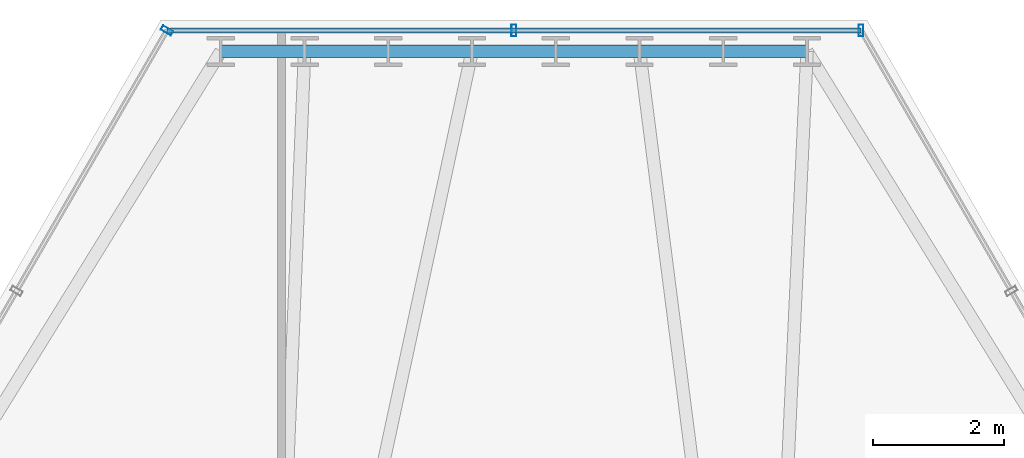
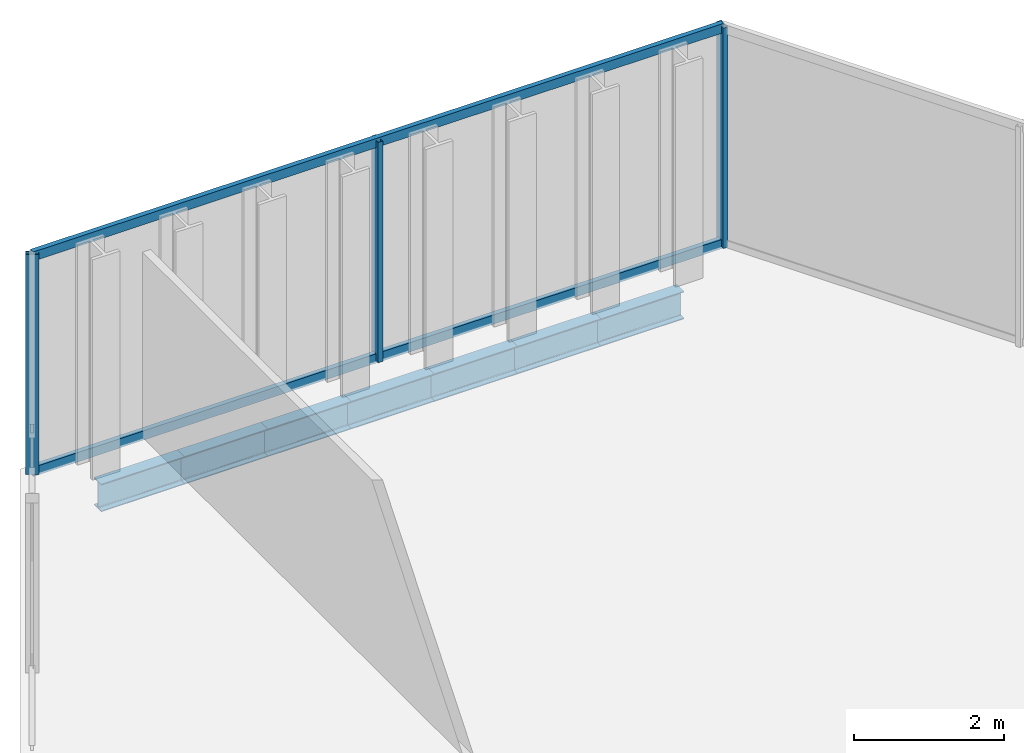
# One storey, part 24 of 33: 7 beams, 5 members, 2 elements without a shape of their own.
"""IFC4 building model written with IfcOpenShell, lengths in metres."""

from ifc_helpers import new_model, si_unit, direction, frame, origin, origin_2d, place, context, subcontext, project, spatial, hollow_rectangle, i_section, extrude, material, layer, layer_set, material_profile, profile_set, type_object, element, aggregate, save


model = new_model("IFC4")

# Units and contexts
model_context = context("Model", 3, precision=1e-05, world=origin(), true_north=direction((0.0, 1.0)))
body_context = subcontext(model_context, "Body", "Model", "MODEL_VIEW")
ifc_project = project(units=[si_unit("LENGTHUNIT", "METRE"), si_unit("AREAUNIT", "SQUARE_METRE"), si_unit("VOLUMEUNIT", "CUBIC_METRE"), si_unit("PLANEANGLEUNIT", "RADIAN"), si_unit("MASSUNIT", "GRAM", prefix="KILO")], contexts=[model_context])

# Site, building, storey
site_placement = place(None, origin())
site = spatial("IfcSite", under=ifc_project, at=site_placement, CompositionType="ELEMENT")
building_placement = place(site_placement, origin())
building = spatial("IfcBuilding", under=site, at=building_placement, Name="Ndaravel Arena Tower", CompositionType="ELEMENT")
storey_placement = place(building_placement, frame((0.0, 0.0, 165.0)))
storey = spatial("IfcBuildingStorey", under=building, at=storey_placement, Name="L39", CompositionType="ELEMENT", Elevation=165.0)

# Beams
ifc_material_1 = material(Name="Steel S355", Category="steel")
ifc_material_profile_1 = material_profile(ifc_material_1, i_section(OverallWidth=0.18994140625, OverallDepth=0.449951171875, WebThickness=0.009521484375, FlangeThickness=0.0146484375, FilletRadius=0.02099609375, at=origin_2d()), Name="IPE 450")
ifc_profile_set_1 = profile_set([ifc_material_profile_1], Name="Steel S355")
beam_type = type_object("IfcBeamType", Name="BM-SPAN-IPE450", PredefinedType="SPANDREL", material=ifc_profile_set_1)
for number, where, z_axis, x_axis, name in (
    (1, (46.480224609375, 45.881591796875, -0.445068359375), (-1.0, 0.0, 0.0), (0.0, -1.0, 0.0), "L39 Perimeter Spandrel Beam SP-11"),
    (2, (45.2001953125, 45.881591796875, -0.445068359375), (-1.0, 0.0, 0.0), (0.0, -1.0, 0.0), "L39 Perimeter Spandrel Beam SP-12"),
):
    element("IfcBeam", number, at=place(storey_placement, frame(where, z_axis=z_axis, x_axis=x_axis)), inside=storey, type_object=beam_type, Name=name, PredefinedType="SPANDREL", context=body_context, shape_type="SweptSolid", body=[
        extrude(i_section(OverallWidth=0.18994140625, OverallDepth=0.449951171875, WebThickness=0.009521484375, FlangeThickness=0.0146484375, FilletRadius=0.02099609375, at=origin_2d()), origin(), (0.0, 0.0, 1.0), 1.280029296875),
    ])
beam_1_placement = place(storey_placement, frame((43.920166015625, 45.881591796875, -0.445068359375), z_axis=(-1.0, 0.0, 0.0), x_axis=(0.0, -1.0, 0.0)))
element("IfcBeam", 3, at=beam_1_placement, inside=storey, type_object=beam_type, Name="L39 Perimeter Spandrel Beam SP-13", PredefinedType="SPANDREL", context=body_context, shape_type="SweptSolid", body=[
    extrude(i_section(OverallWidth=0.18994140625, OverallDepth=0.449951171875, WebThickness=0.009521484375, FlangeThickness=0.0146484375, FilletRadius=0.02099609375, at=origin_2d()), origin(), (0.0, 0.0, 1.0), 1.2802734375),
])
beam_2_placement = place(storey_placement, frame((42.639892578125, 45.881591796875, -0.445068359375), z_axis=(-1.0, 0.0, 0.0), x_axis=(0.0, -1.0, 0.0)))
element("IfcBeam", 4, at=beam_2_placement, inside=storey, type_object=beam_type, Name="L39 Perimeter Spandrel Beam SP-14", PredefinedType="SPANDREL", context=body_context, shape_type="SweptSolid", body=[
    extrude(i_section(OverallWidth=0.18994140625, OverallDepth=0.449951171875, WebThickness=0.009521484375, FlangeThickness=0.0146484375, FilletRadius=0.02099609375, at=origin_2d()), origin(), (0.0, 0.0, 1.0), 1.27978515625),
])
beam_3_placement = place(storey_placement, frame((41.360107421875, 45.881591796875, -0.445068359375), z_axis=(-1.0, 0.0, 0.0), x_axis=(0.0, -1.0, 0.0)))
element("IfcBeam", 5, at=beam_3_placement, inside=storey, type_object=beam_type, Name="L39 Perimeter Spandrel Beam SP-15", PredefinedType="SPANDREL", context=body_context, shape_type="SweptSolid", body=[
    extrude(i_section(OverallWidth=0.18994140625, OverallDepth=0.449951171875, WebThickness=0.009521484375, FlangeThickness=0.0146484375, FilletRadius=0.02099609375, at=origin_2d()), origin(), (0.0, 0.0, 1.0), 1.2802734375),
])
for number, where, z_axis, x_axis, name in (
    (6, (40.079833984375, 45.881591796875, -0.445068359375), (-1.0, 0.0, 0.0), (0.0, -1.0, 0.0), "L39 Perimeter Spandrel Beam SP-16"),
    (7, (38.7998046875, 45.881591796875, -0.445068359375), (-1.0, 0.0, 0.0), (0.0, -1.0, 0.0), "L39 Perimeter Spandrel Beam SP-17"),
):
    element("IfcBeam", number, at=place(storey_placement, frame(where, z_axis=z_axis, x_axis=x_axis)), inside=storey, type_object=beam_type, Name=name, PredefinedType="SPANDREL", context=body_context, shape_type="SweptSolid", body=[
        extrude(i_section(OverallWidth=0.18994140625, OverallDepth=0.449951171875, WebThickness=0.009521484375, FlangeThickness=0.0146484375, FilletRadius=0.02099609375, at=origin_2d()), origin(), (0.0, 0.0, 1.0), 1.280029296875),
    ])

# Curtain wall, members
ifc_material_2 = material(Name="Aluminium", Category="aluminium")
ifc_layer_1 = layer(ifc_material_2, 0.179931640625)
ifc_layer_set_1 = layer_set([ifc_layer_1], Name="Aluminium")
curtain_wall_type_1 = type_object("IfcCurtainWallType", Name="CW-SYS-01", PredefinedType="NOTDEFINED", material=ifc_layer_set_1)
curtain_wall_1_placement = place(storey_placement, origin())
curtain_wall_1 = element("IfcCurtainWall", 8, at=curtain_wall_1_placement, inside=storey, type_object=curtain_wall_type_1, Name="L39 Faceted Crystal Curtain Wall CW-L39-E04", PredefinedType="NOTDEFINED")
ifc_material_3 = material(Name="Aluminium", Category="aluminium")
ifc_material_profile_2 = material_profile(ifc_material_3, hollow_rectangle(XDim=0.074951171875, YDim=0.179931640625, WallThickness=0.00390625, at=origin_2d()), Name="CW MULLION 75x180x4")
ifc_profile_set_2 = profile_set([ifc_material_profile_2], Name="Aluminium")
member_type_1 = type_object("IfcMemberType", Name="MEM-CW-MUL180", PredefinedType="MULLION", material=ifc_profile_set_2)
member_1_placement = place(storey_placement, frame((47.304931640625, 46.20166015625, 0.0), z_axis=(0.0, 0.0, 1.0), x_axis=(-1.0, 0.0, 0.0)))
member_1 = element("IfcMember", 9, at=member_1_placement, type_object=member_type_1, Name="CW-L39-E04 Mullion 00", PredefinedType="MULLION", context=body_context, shape_type="SweptSolid", body=[
    extrude(hollow_rectangle(XDim=0.074951171875, YDim=0.179931640625, WallThickness=0.00390625, at=origin_2d()), origin(), (0.0, 0.0, 1.0), 3.580078125),
])
member_2_placement = place(storey_placement, frame((42.0, 46.20166015625, 0.0), z_axis=(0.0, 0.0, 1.0), x_axis=(-1.0, 0.0, 0.0)))
member_2 = element("IfcMember", 10, at=member_2_placement, type_object=member_type_1, Name="CW-L39-E04 Mullion 01", PredefinedType="MULLION", context=body_context, shape_type="SweptSolid", body=[
    extrude(hollow_rectangle(XDim=0.074951171875, YDim=0.179931640625, WallThickness=0.00390625, at=origin_2d()), origin(), (0.0, 0.0, 1.0), 3.580078125),
])

# Curtain wall, member
ifc_material_4 = material(Name="Aluminium", Category="aluminium")
ifc_layer_2 = layer(ifc_material_4, 0.179931640625)
ifc_layer_set_2 = layer_set([ifc_layer_2], Name="Aluminium")
curtain_wall_type_2 = type_object("IfcCurtainWallType", Name="CW-SYS-03", PredefinedType="NOTDEFINED", material=ifc_layer_set_2)
curtain_wall_2_placement = place(storey_placement, origin())
curtain_wall_2 = element("IfcCurtainWall", 11, at=curtain_wall_2_placement, inside=storey, type_object=curtain_wall_type_2, Name="L39 Faceted Crystal Curtain Wall CW-L39-E05", PredefinedType="NOTDEFINED")
member_3_placement = place(storey_placement, frame((36.695068359375, 46.20166015625, 0.0), z_axis=(0.0, 0.0, 1.0), x_axis=(-0.5, -0.866025403784, 0.0)))
member_3 = element("IfcMember", 12, at=member_3_placement, type_object=member_type_1, Name="CW-L39-E05 Mullion 00", PredefinedType="MULLION", context=body_context, shape_type="SweptSolid", body=[
    extrude(hollow_rectangle(XDim=0.074951171875, YDim=0.179931640625, WallThickness=0.00390625, at=origin_2d()), origin(), (0.0, 0.0, 1.0), 3.580078125),
])
aggregate(curtain_wall_2, [member_3])

# Member
ifc_material_5 = material(Name="Aluminium", Category="aluminium")
ifc_material_profile_3 = material_profile(ifc_material_5, hollow_rectangle(XDim=0.074951171875, YDim=0.14990234375, WallThickness=0.00390625, at=origin_2d()), Name="CW TRANSOM 75x150x4")
ifc_profile_set_3 = profile_set([ifc_material_profile_3], Name="Aluminium")
member_type_2 = type_object("IfcMemberType", Name="MEM-CW-TRN150", PredefinedType="USERDEFINED", material=ifc_profile_set_3)
member_4_placement = place(storey_placement, frame((47.304931640625, 46.20166015625, 0.0400390625), z_axis=(-1.0, 0.0, 0.0), x_axis=(0.0, -1.0, 0.0)))
member_4 = element("IfcMember", 13, at=member_4_placement, type_object=member_type_2, Name="CW-L39-E04 Transom 01", ObjectType="TRANSOM", PredefinedType="USERDEFINED", context=body_context, shape_type="SweptSolid", body=[
    extrude(hollow_rectangle(XDim=0.074951171875, YDim=0.14990234375, WallThickness=0.00390625, at=origin_2d()), origin(), (0.0, 0.0, 1.0), 10.60986328125),
])

member_5_placement = place(storey_placement, frame((47.304931640625, 46.20166015625, 3.5400390625), z_axis=(-1.0, 0.0, 0.0), x_axis=(0.0, -1.0, 0.0)))
member_5 = element("IfcMember", 14, at=member_5_placement, type_object=member_type_2, Name="CW-L39-E04 Transom 02", ObjectType="TRANSOM", PredefinedType="USERDEFINED", context=body_context, shape_type="SweptSolid", body=[
    extrude(hollow_rectangle(XDim=0.074951171875, YDim=0.14990234375, WallThickness=0.00390625, at=origin_2d()), origin(), (0.0, 0.0, 1.0), 10.60986328125),
])

aggregate(curtain_wall_1, [member_1, member_2, member_4, member_5])

save(model, "model.ifc")
